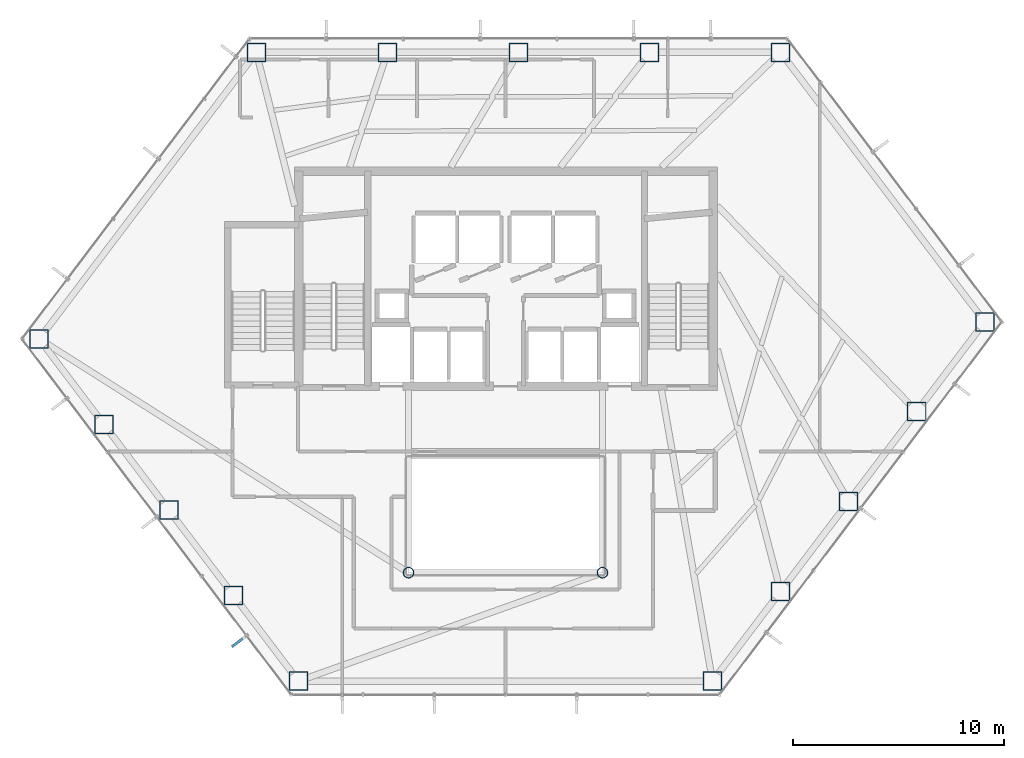
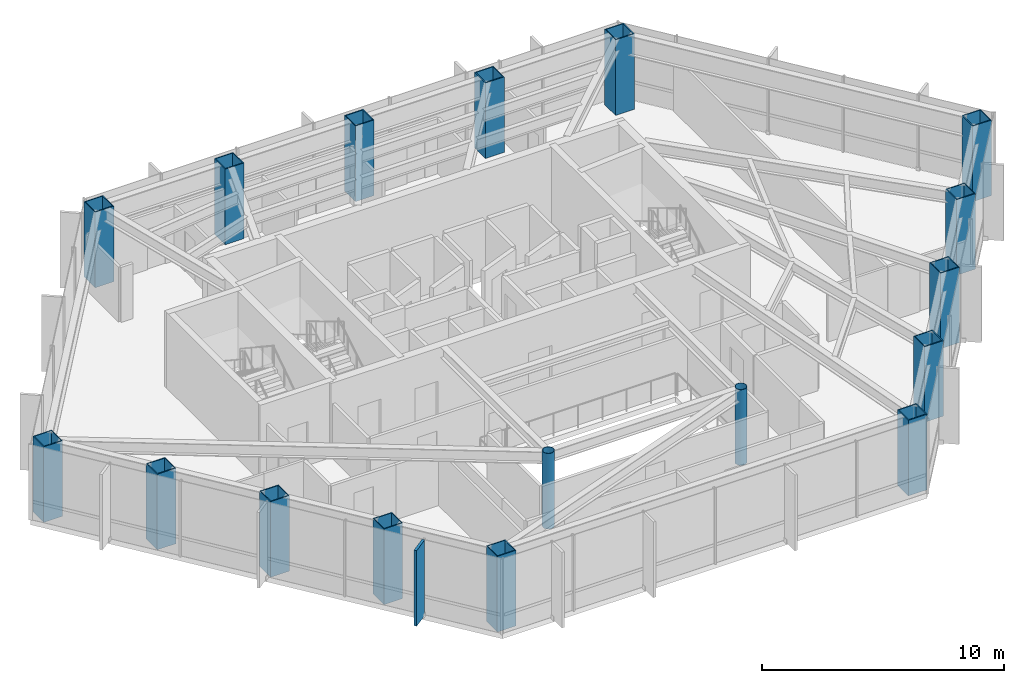
# One storey, part 1 of 24: 17 columns, 1 member, 1 element without a shape of its own.
"""IFC4 building model written with IfcOpenShell, lengths in metres."""

import ifcopenshell
import ifcopenshell.guid

model = None  # the IFC model being written
_history = None  # IfcOwnerHistory: only IFC2X3 demands one
_inside = {}  # id of a spatial element -> (the spatial element, [elements in it])
_under = {}  # id of a project, library or spatial element -> (it, [spatial elements below it])
_declared = {}  # id of a project -> (the project, [libraries it declares])
_typed = {}  # id of a type object -> (the type object, [elements of that type])
_made_of = {}  # id of a material, layer set ... -> (it, [elements and type objects made of it])


def new_model(schema):
    """Start an empty IFC model of exactly this schema.

    Asked for "IFC4X3", IfcOpenShell would pick the latest addendum, in which some entities
    have other attributes; the version numbers below select the first issue.
    IFC2X3 requires an IfcOwnerHistory on every rooted entity: one is made here for all.
    """
    global model, _history
    if schema == "IFC4X3":
        model = ifcopenshell.file(schema_version=(4, 3, 0, 0))
    else:
        model = ifcopenshell.file(schema=schema)
    _inside.clear()
    _under.clear()
    _declared.clear()
    _typed.clear()
    _made_of.clear()
    _history = None
    if model.schema == "IFC2X3":
        org = make("IfcOrganization", Name="unknown")
        user = make(
            "IfcPersonAndOrganization",
            ThePerson=make("IfcPerson", FamilyName="unknown"),
            TheOrganization=org,
        )
        app = make(
            "IfcApplication",
            ApplicationDeveloper=org,
            Version="unknown",
            ApplicationFullName="unknown",
            ApplicationIdentifier="unknown",
        )
        _history = make(
            "IfcOwnerHistory",
            OwningUser=user,
            OwningApplication=app,
            ChangeAction="ADDED",
            CreationDate=0,
        )
    return model


def make(cls, **values):
    """One entity of the class cls with the attributes given. An attribute that is None is left unset."""
    return model.create_entity(
        cls, **{name: value for name, value in values.items() if value is not None}
    )


def rooted(cls, **values):
    """An entity with a GlobalId (a new one), such as an element, a storey or a relation."""
    return make(cls, GlobalId=ifcopenshell.guid.new(), OwnerHistory=_history, **values)


def si_unit(unit_type, name, prefix=None):
    """IfcSIUnit, for example si_unit("LENGTHUNIT", "METRE", prefix="MILLI")."""
    return make("IfcSIUnit", UnitType=unit_type, Prefix=prefix, Name=name)


def assignment(units):
    """IfcUnitAssignment: the units of a project."""
    return None if units is None else make("IfcUnitAssignment", Units=units)


def point(xyz):
    """IfcCartesianPoint."""
    return None if xyz is None else make("IfcCartesianPoint", Coordinates=xyz)


def direction(xyz):
    """IfcDirection."""
    return None if xyz is None else make("IfcDirection", DirectionRatios=xyz)


def frame(location, z_axis=None, x_axis=None):
    """IfcAxis2Placement3D, a coordinate frame: its origin and axes. An axis left out is left unset."""
    return make(
        "IfcAxis2Placement3D",
        Location=point(location),
        Axis=direction(z_axis),
        RefDirection=direction(x_axis),
    )


def frame_2d(location, x_axis=None):
    """IfcAxis2Placement2D, a coordinate frame in the plane: its origin and x axis."""
    return make(
        "IfcAxis2Placement2D", Location=point(location), RefDirection=direction(x_axis)
    )


def origin():
    """The frame at (0, 0, 0) with its axes left unset."""
    return frame((0.0, 0.0, 0.0))


def origin_2d():
    """The frame at (0, 0) in the plane with its x axis left unset."""
    return frame_2d((0.0, 0.0))


def place(relative_to, where):
    """IfcLocalPlacement: puts the frame where relative to a parent placement (None: the world)."""
    return make(
        "IfcLocalPlacement", PlacementRelTo=relative_to, RelativePlacement=where
    )


def context(
    kind, dimensions, precision=None, world=None, true_north=None, identifier=None
):
    """IfcGeometricRepresentationContext, for example the 3D "Model" context."""
    return make(
        "IfcGeometricRepresentationContext",
        ContextIdentifier=identifier,
        ContextType=kind,
        CoordinateSpaceDimension=dimensions,
        Precision=precision,
        WorldCoordinateSystem=world,
        TrueNorth=true_north,
    )


def subcontext(parent, identifier, kind, view, scale=None):
    """IfcGeometricRepresentationSubContext, for example "Body" below "Model"."""
    return make(
        "IfcGeometricRepresentationSubContext",
        ContextIdentifier=identifier,
        ContextType=kind,
        ParentContext=parent,
        TargetScale=scale,
        TargetView=view,
    )


def project(units=None, contexts=None):
    """IfcProject with its units and contexts."""
    return rooted(
        "IfcProject",
        Name="project",
        RepresentationContexts=contexts,
        UnitsInContext=assignment(units),
    )


def spatial(cls, under=None, at=None, **own):
    """A site, building, storey or space (cls), placed at a placement, below another one or the project."""
    s = rooted(cls, ObjectPlacement=at, **own)
    if under is not None:
        _under.setdefault(under.id(), (under, []))[1].append(s)
    return s


def profile(cls, at=None, kind="AREA", **sizes):
    """A parametric profile (cls). Its sizes go by their IFC names, for example OverallWidth=200.0."""
    return make(cls, ProfileType=kind, Position=at, **sizes)


def rectangle(**sizes):
    """IfcRectangleProfileDef."""
    return profile("IfcRectangleProfileDef", **sizes)


def hollow_rectangle(**sizes):
    """IfcRectangleHollowProfileDef."""
    return profile("IfcRectangleHollowProfileDef", **sizes)


def hollow_circle(**sizes):
    """IfcCircleHollowProfileDef."""
    return profile("IfcCircleHollowProfileDef", **sizes)


def extrude(swept, where, along, depth):
    """IfcExtrudedAreaSolid: the profile swept, set in the frame where, extruded along a direction by depth."""
    return make(
        "IfcExtrudedAreaSolid",
        SweptArea=swept,
        Position=where,
        ExtrudedDirection=direction(along),
        Depth=depth,
    )


def shape(context_of_items, identifier, shape_type, items):
    """IfcShapeRepresentation: the items that make up one representation, for example the "Body"."""
    return make(
        "IfcShapeRepresentation",
        ContextOfItems=context_of_items,
        RepresentationIdentifier=identifier,
        RepresentationType=shape_type,
        Items=items,
    )


def material(Name=None, Category=None):
    """IfcMaterial."""
    return make("IfcMaterial", Name=Name, Category=Category)


def layer(
    of_material, thickness, ventilated=None, Name=None, Category=None, Priority=None
):
    """IfcMaterialLayer: one layer of a wall or slab, of a material (None: an air gap)."""
    return make(
        "IfcMaterialLayer",
        Material=of_material,
        LayerThickness=thickness,
        IsVentilated=ventilated,
        Name=Name,
        Category=Category,
        Priority=Priority,
    )


def layer_set(layers, Name=None):
    """IfcMaterialLayerSet."""
    return make("IfcMaterialLayerSet", MaterialLayers=layers, LayerSetName=Name)


def material_profile(
    of_material, cross_section, Name=None, Category=None, Priority=None
):
    """IfcMaterialProfile: a cross section and its material."""
    return make(
        "IfcMaterialProfile",
        Name=Name,
        Material=of_material,
        Profile=cross_section,
        Priority=Priority,
        Category=Category,
    )


def profile_set(profiles, Name=None, composite=None):
    """IfcMaterialProfileSet."""
    return make(
        "IfcMaterialProfileSet",
        Name=Name,
        MaterialProfiles=profiles,
        CompositeProfile=composite,
    )


def made_of(thing, what):
    """Note that an element or type object is made of a material, layer set ...; save() writes the relation."""
    if what is not None:
        _made_of.setdefault(what.id(), (what, []))[1].append(thing)
    return thing


def type_object(cls, material=None, **own):
    """A type object (cls), such as IfcWallType, which elements share."""
    return made_of(rooted(cls, **own), material)


def element(
    cls,
    number,
    at=None,
    inside=None,
    cuts=None,
    type_object=None,
    material=None,
    context=None,
    identifier="Body",
    shape_type=None,
    held_by="IfcProductDefinitionShape",
    body=None,
    shapes=None,
    **own,
):
    """One element of the class cls, such as IfcWall. Its Tag is "e" and its number.

    at: its placement. inside: the storey or other place that contains it. cuts: it is an
    opening in that element (IfcRelVoidsElement). A single representation is given by context,
    identifier, shape_type and body (its items); several are given by shapes. held_by: the class
    of the entity that holds the representations. save() writes the other relations.
    """
    e = rooted(cls, Tag="e%d" % number, ObjectPlacement=at, **own)
    if body is not None:
        shapes = [shape(context, identifier, shape_type, body)]
    if shapes is not None:
        e.Representation = make(held_by, Representations=shapes)
    if inside is not None:
        _inside.setdefault(inside.id(), (inside, []))[1].append(e)
    if cuts is not None:
        rooted(
            "IfcRelVoidsElement", RelatingBuildingElement=cuts, RelatedOpeningElement=e
        )
    if type_object is not None:
        _typed.setdefault(type_object.id(), (type_object, []))[1].append(e)
    return made_of(e, material)


def aggregate(whole, parts):
    """IfcRelAggregates: a whole, such as a stair, and the parts it consists of."""
    return rooted("IfcRelAggregates", RelatingObject=whole, RelatedObjects=parts)


def save(model, path):
    """Write the relations noted so far, then the file.

    IfcRelAggregates (storeys below a building ...), IfcRelContainedInSpatialStructure (elements
    in a storey), IfcRelDefinesByType, IfcRelAssociatesMaterial and IfcRelDeclares: one each for
    every whole, place, type object, material and project.
    """
    for whole, parts in _under.values():
        aggregate(whole, parts)
    for where, things in _inside.values():
        rooted(
            "IfcRelContainedInSpatialStructure",
            RelatedElements=things,
            RelatingStructure=where,
        )
    for kind, things in _typed.values():
        rooted("IfcRelDefinesByType", RelatedObjects=things, RelatingType=kind)
    for what, things in _made_of.values():
        rooted("IfcRelAssociatesMaterial", RelatedObjects=things, RelatingMaterial=what)
    for by, libraries in _declared.values():
        rooted("IfcRelDeclares", RelatingContext=by, RelatedDefinitions=libraries)
    model.write(path)


model = new_model("IFC4")

# Units and contexts
model_context = context("Model", 3, precision=1e-05, world=origin(), true_north=direction((0.0, 1.0)))
body_context = subcontext(model_context, "Body", "Model", "MODEL_VIEW")
ifc_project = project(units=[si_unit("LENGTHUNIT", "METRE"), si_unit("AREAUNIT", "SQUARE_METRE"), si_unit("VOLUMEUNIT", "CUBIC_METRE"), si_unit("PLANEANGLEUNIT", "RADIAN"), si_unit("MASSUNIT", "GRAM", prefix="KILO")], contexts=[model_context])

# Site, building, storey
site_placement = place(None, origin())
site = spatial("IfcSite", under=ifc_project, at=site_placement, CompositionType="ELEMENT")
building_placement = place(site_placement, origin())
building = spatial("IfcBuilding", under=site, at=building_placement, Name="Zarrinselat Tower", CompositionType="ELEMENT")
storey_placement = place(building_placement, frame((0.0, 0.0, 72.419921875)))
storey = spatial("IfcBuildingStorey", under=building, at=storey_placement, Name="L17", CompositionType="ELEMENT", Elevation=72.419921875)

# Columns
ifc_material_1 = material(Name="Steel S355J2", Category="steel")
ifc_material_profile_1 = material_profile(ifc_material_1, hollow_circle(Radius=0.25390625, WallThickness=0.02001953125, at=origin_2d()), Name="CHS 508x20")
ifc_profile_set_1 = profile_set([ifc_material_profile_1], Name="Steel S355J2")
column_type_1 = type_object("IfcColumnType", Name="COL-CHS508", PredefinedType="COLUMN", material=ifc_profile_set_1)
for number, where, z_axis, x_axis, name in (
    (1, (33.800048828125, 24.39990234375, 0.0), (0.0, 0.0, 1.0), (1.0, 0.0, 0.0), "L17 Atrium Corner Column 1"),
    (2, (43.0, 24.39990234375, 0.0), (0.0, 0.0, 1.0), (1.0, 0.0, 0.0), "L17 Atrium Corner Column 2"),
):
    element("IfcColumn", number, at=place(storey_placement, frame(where, z_axis=z_axis, x_axis=x_axis)), inside=storey, type_object=column_type_1, Name=name, PredefinedType="COLUMN", context=body_context, shape_type="SweptSolid", body=[
        extrude(hollow_circle(Radius=0.25390625, WallThickness=0.02001953125, at=origin_2d()), origin(), (0.0, 0.0, 1.0), 3.820068359375),
    ])
ifc_material_2 = material(Name="Steel S460M", Category="steel")
ifc_material_profile_2 = material_profile(ifc_material_2, hollow_rectangle(XDim=0.89990234375, YDim=0.89990234375, WallThickness=0.044921875, at=origin_2d()), Name="SHS 900x900x45")
ifc_profile_set_2 = profile_set([ifc_material_profile_2], Name="Steel S460M")
column_type_2 = type_object("IfcColumnType", Name="COL-SHS900", PredefinedType="COLUMN", material=ifc_profile_set_2)
for number, where, z_axis, x_axis, name in (
    (3, (51.453125, 49.083251953125, 0.0), (0.0, 0.0, 1.0), (1.0, 0.0, 0.0), "L17 Framed-Tube Column T01"),
    (4, (45.235107421875, 49.083251953125, 0.0), (0.0, 0.0, 1.0), (1.0, 0.0, 0.0), "L17 Framed-Tube Column T02"),
    (5, (39.01708984375, 49.083251953125, 0.0), (0.0, 0.0, 1.0), (1.0, 0.0, 0.0), "L17 Framed-Tube Column T03"),
    (6, (32.79931640625, 49.083251953125, 0.0), (0.0, 0.0, 1.0), (1.0, 0.0, 0.0), "L17 Framed-Tube Column T04"),
    (7, (26.581298828125, 49.083251953125, 0.0), (0.0, 0.0, 1.0), (1.0, 0.0, 0.0), "L17 Framed-Tube Column T05"),
    (8, (16.281005859375, 35.48681640625, 0.0), (0.0, 0.0, 1.0), (1.0, 0.0, 0.0), "L17 Framed-Tube Column T06"),
    (9, (19.355224609375, 31.428955078125, 0.0), (0.0, 0.0, 1.0), (1.0, 0.0, 0.0), "L17 Framed-Tube Column T07"),
    (10, (22.429443359375, 27.370849609375, 0.0), (0.0, 0.0, 1.0), (1.0, 0.0, 0.0), "L17 Framed-Tube Column T08"),
    (11, (25.503662109375, 23.31298828125, 0.0), (0.0, 0.0, 1.0), (1.0, 0.0, 0.0), "L17 Framed-Tube Column T09"),
    (12, (28.577880859375, 19.2548828125, 0.0), (0.0, 0.0, 1.0), (1.0, 0.0, 0.0), "L17 Framed-Tube Column T10"),
    (13, (48.22216796875, 19.2548828125, 0.0), (0.0, 0.0, 1.0), (1.0, 0.0, 0.0), "L17 Framed-Tube Column T11"),
    (14, (51.45068359375, 23.5166015625, 0.0), (0.0, 0.0, 1.0), (1.0, 0.0, 0.0), "L17 Framed-Tube Column T12"),
    (15, (54.67919921875, 27.7783203125, 0.0), (0.0, 0.0, 1.0), (1.0, 0.0, 0.0), "L17 Framed-Tube Column T13"),
    (16, (57.90771484375, 32.039794921875, 0.0), (0.0, 0.0, 1.0), (1.0, 0.0, 0.0), "L17 Framed-Tube Column T14"),
    (17, (61.13623046875, 36.301513671875, 0.0), (0.0, 0.0, 1.0), (1.0, 0.0, 0.0), "L17 Framed-Tube Column T15"),
):
    element("IfcColumn", number, at=place(storey_placement, frame(where, z_axis=z_axis, x_axis=x_axis)), inside=storey, type_object=column_type_2, Name=name, PredefinedType="COLUMN", context=body_context, shape_type="SweptSolid", body=[
        extrude(hollow_rectangle(XDim=0.89990234375, YDim=0.89990234375, WallThickness=0.044921875, at=origin_2d()), origin(), (0.0, 0.0, 1.0), 3.820068359375),
    ])

# Curtain wall, member
ifc_material_3 = material(Name="Extruded Aluminium Alloy EN AW-6063 T6", Category="aluminium")
ifc_layer = layer(ifc_material_3, 0.18505859375)
ifc_layer_set = layer_set([ifc_layer], Name="Extruded Aluminium Alloy EN AW-6063 T6")
curtain_wall_type = type_object("IfcCurtainWallType", Name="CWS-OFF", PredefinedType="NOTDEFINED", material=ifc_layer_set)
curtain_wall_placement = place(storey_placement, origin())
curtain_wall = element("IfcCurtainWall", 18, at=curtain_wall_placement, inside=storey, type_object=curtain_wall_type, Name="L17 Unitised Curtain Wall CW-L17-E03", PredefinedType="NOTDEFINED")
ifc_material_4 = material(Name="Honed Cream Travertine Stone", Category="masonry")
ifc_material_profile_3 = material_profile(ifc_material_4, rectangle(XDim=0.1201171875, YDim=0.85009765625, at=origin_2d()), Name="FIN 850x120")
ifc_profile_set_3 = profile_set([ifc_material_profile_3], Name="Honed Cream Travertine Stone")
member_type = type_object("IfcMemberType", Name="MEM-STONE-FIN", PredefinedType="USERDEFINED", material=ifc_profile_set_3)
member_placement = place(storey_placement, frame((25.756591796875, 21.140869140625, 0.0), z_axis=(0.0, 0.0, 1.0), x_axis=(-0.603854869931, 0.797094283044, 0.0)))
member = element("IfcMember", 19, at=member_placement, type_object=member_type, Name="L17 Stone Shading Fin CW-L17-E03-05", ObjectType="FIN", PredefinedType="USERDEFINED", context=body_context, shape_type="SweptSolid", body=[
    extrude(rectangle(XDim=0.1201171875, YDim=0.85009765625, at=origin_2d()), origin(), (0.0, 0.0, 1.0), 3.820068359375),
])
aggregate(curtain_wall, [member])

save(model, "model.ifc")
